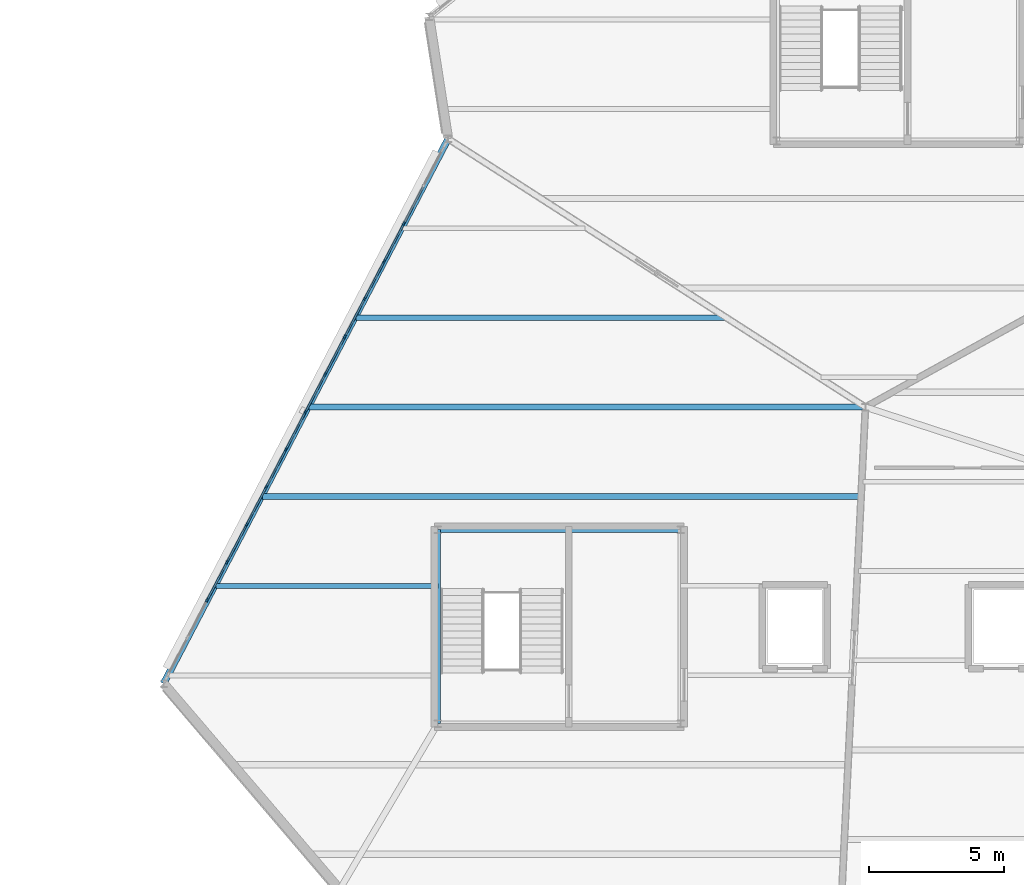
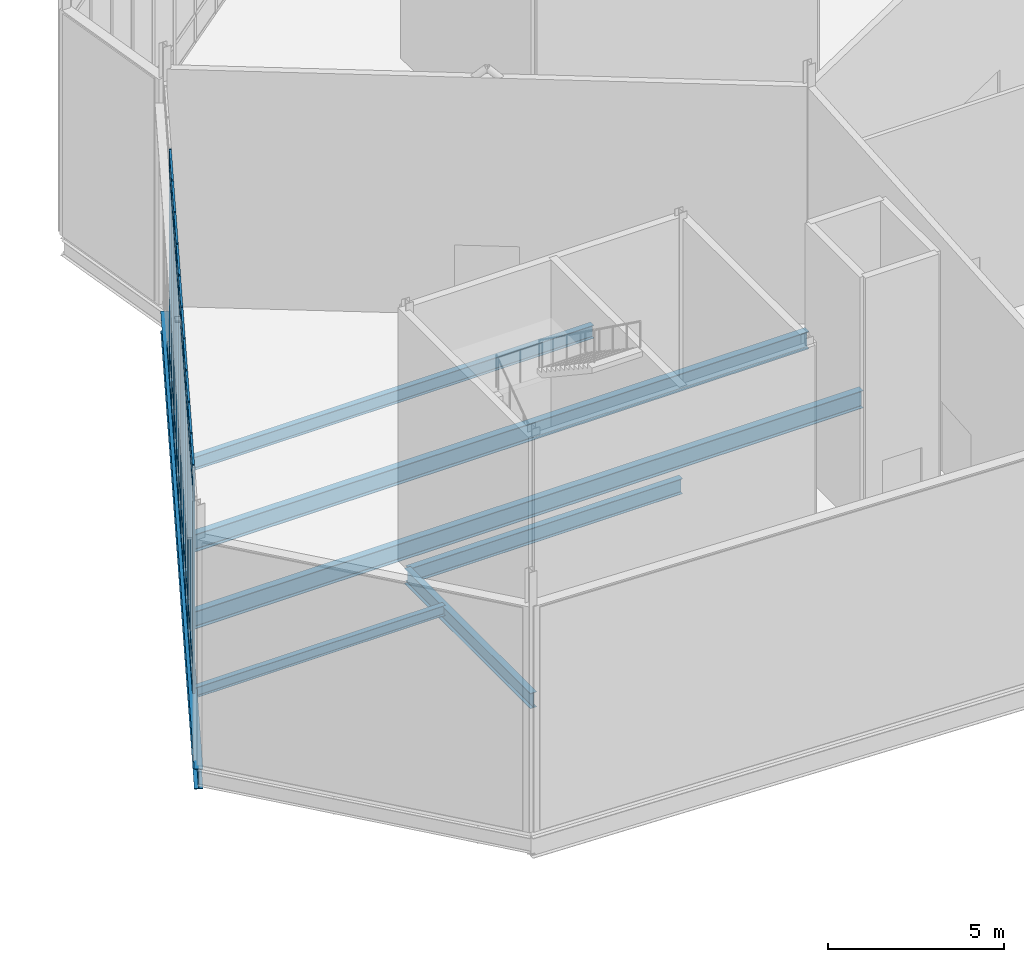
# One storey, part 35 of 66: 52 members, 7 beams, 1 element without a shape of its own.
"""IFC4 building model written with IfcOpenShell, lengths in metres."""

from ifc_helpers import new_model, si_unit, direction, frame, origin, origin_2d, place, context, subcontext, project, spatial, rectangle, i_section, extrude, material, material_profile, profile_set, type_object, element, aggregate, save


model = new_model("IFC4")

# Units and contexts
model_context = context("Model", 3, precision=1e-05, world=origin(), true_north=direction((0.0, 1.0)))
body_context = subcontext(model_context, "Body", "Model", "MODEL_VIEW")
ifc_project = project(units=[si_unit("LENGTHUNIT", "METRE"), si_unit("AREAUNIT", "SQUARE_METRE"), si_unit("VOLUMEUNIT", "CUBIC_METRE"), si_unit("PLANEANGLEUNIT", "RADIAN"), si_unit("MASSUNIT", "GRAM", prefix="KILO")], contexts=[model_context])

# Site, building, storey
site_placement = place(None, origin())
site = spatial("IfcSite", under=ifc_project, at=site_placement, CompositionType="ELEMENT")
building_placement = place(site_placement, origin())
building = spatial("IfcBuilding", under=site, at=building_placement, Name="Tameran Prism Museum", CompositionType="ELEMENT")
storey_placement = place(building_placement, frame((0.0, 0.0, 19.800048828125)))
storey = spatial("IfcBuildingStorey", under=building, at=storey_placement, Name="L04", CompositionType="ELEMENT", Elevation=19.800048828125)

# Beams
ifc_material_1 = material(Name="Steel Grade 300PLUS (300 MPa)", Category="steel")
ifc_material_profile_1 = material_profile(ifc_material_1, i_section(OverallWidth=0.1708984375, OverallDepth=0.35595703125, WebThickness=0.00732421875, FlangeThickness=0.011474609375, FilletRadius=0.011474609375, at=origin_2d()))
ifc_profile_set_1 = profile_set([ifc_material_profile_1])
beam_type_1 = type_object("IfcBeamType", Name="BM-J360B", PredefinedType="JOIST", material=ifc_profile_set_1)
beam_1_placement = place(storey_placement, frame((94.825927734375, 82.5, -0.41796875), z_axis=(1.0, 0.0, 0.0), x_axis=(0.0, 1.0, 0.0)))
element("IfcBeam", 1, at=beam_1_placement, inside=storey, type_object=beam_type_1, Name="Floor Beam BM-1201", PredefinedType="JOIST", context=body_context, shape_type="SweptSolid", body=[
    extrude(i_section(OverallWidth=0.1708984375, OverallDepth=0.35595703125, WebThickness=0.00732421875, FlangeThickness=0.011474609375, FilletRadius=0.011474609375, at=origin_2d()), origin(), (0.0, 0.0, 1.0), 8.194091796875),
])
ifc_material_2 = material(Name="Steel Grade 300PLUS (300 MPa)", Category="steel")
ifc_material_profile_2 = material_profile(ifc_material_2, i_section(OverallWidth=0.18994140625, OverallDepth=0.4541015625, WebThickness=0.008544921875, FlangeThickness=0.0126953125, FilletRadius=0.011474609375, at=origin_2d()))
ifc_profile_set_2 = profile_set([ifc_material_profile_2])
beam_type_2 = type_object("IfcBeamType", Name="BM-J460B", PredefinedType="JOIST", material=ifc_profile_set_2)
beam_2_placement = place(storey_placement, frame((99.9970703125, 92.39990234375, -0.467041015625), z_axis=(1.0, 0.0, 0.0), x_axis=(0.0, 1.0, 0.0)))
element("IfcBeam", 2, at=beam_2_placement, inside=storey, type_object=beam_type_2, Name="Floor Beam BM-1205", PredefinedType="JOIST", context=body_context, shape_type="SweptSolid", body=[
    extrude(i_section(OverallWidth=0.18994140625, OverallDepth=0.4541015625, WebThickness=0.008544921875, FlangeThickness=0.0126953125, FilletRadius=0.011474609375, at=origin_2d()), origin(), (0.0, 0.0, 1.0), 13.595947265625),
])
ifc_material_3 = material(Name="Steel Grade 300PLUS (300 MPa)", Category="steel")
ifc_material_profile_3 = material_profile(ifc_material_3, i_section(OverallWidth=0.208984375, OverallDepth=0.528076171875, WebThickness=0.009521484375, FlangeThickness=0.01318359375, FilletRadius=0.013916015625, at=origin_2d()))
ifc_profile_set_3 = profile_set([ifc_material_profile_3])
beam_type_3 = type_object("IfcBeamType", Name="BM-SP530B", PredefinedType="SPANDREL", material=ifc_profile_set_3)
beam_3_placement = place(storey_placement, frame((111.97998046875, 84.580078125, -0.504150390625), z_axis=(-1.0, 0.0, 0.0), x_axis=(0.0, -1.0, 0.0)))
element("IfcBeam", 3, at=beam_3_placement, inside=storey, type_object=beam_type_3, Name="Core Ring Beam CTB-1179", PredefinedType="SPANDREL", context=body_context, shape_type="SweptSolid", body=[
    extrude(i_section(OverallWidth=0.208984375, OverallDepth=0.528076171875, WebThickness=0.009521484375, FlangeThickness=0.01318359375, FilletRadius=0.013916015625, at=origin_2d()), origin(), (0.0, 0.0, 1.0), 8.9599609375),
])
beam_4_placement = place(storey_placement, frame((103.02001953125, 84.580078125, -0.504150390625), z_axis=(0.0, -1.0, 0.0), x_axis=(1.0, 0.0, 0.0)))
element("IfcBeam", 4, at=beam_4_placement, inside=storey, type_object=beam_type_3, Name="Core Ring Beam CTB-1180", PredefinedType="SPANDREL", context=body_context, shape_type="SweptSolid", body=[
    extrude(i_section(OverallWidth=0.208984375, OverallDepth=0.528076171875, WebThickness=0.009521484375, FlangeThickness=0.01318359375, FilletRadius=0.013916015625, at=origin_2d()), origin(), (0.0, 0.0, 1.0), 7.16015625),
])
ifc_material_4 = material(Name="Steel Grade 350 (350 MPa)", Category="steel")
ifc_material_profile_4 = material_profile(ifc_material_4, i_section(OverallWidth=0.25, OverallDepth=0.699951171875, WebThickness=0.010009765625, FlangeThickness=0.02001953125, at=origin_2d()))
ifc_profile_set_4 = profile_set([ifc_material_profile_4])
beam_type_4 = type_object("IfcBeamType", Name="BM-SP700", PredefinedType="SPANDREL", material=ifc_profile_set_4)
beam_5_placement = place(storey_placement, frame((103.39990234375, 99.0, -0.590087890625), z_axis=(-0.463016287734, -0.886349771418, 0.0), x_axis=(0.886349771418, -0.463016287734, 0.0)))
element("IfcBeam", 5, at=beam_5_placement, inside=storey, type_object=beam_type_4, Name="Perimeter Spandrel SP-1143", PredefinedType="SPANDREL", context=body_context, shape_type="SweptSolid", body=[
    extrude(i_section(OverallWidth=0.25, OverallDepth=0.699951171875, WebThickness=0.010009765625, FlangeThickness=0.02001953125, at=origin_2d()), origin(), (0.0, 0.0, 1.0), 22.677490234375),
])
ifc_material_5 = material(Name="Steel Grade 300PLUS (300 MPa)", Category="steel")
ifc_material_profile_5 = material_profile(ifc_material_5, i_section(OverallWidth=0.22802734375, OverallDepth=0.60693359375, WebThickness=0.01123046875, FlangeThickness=0.017333984375, FilletRadius=0.013916015625, at=origin_2d()))
ifc_profile_set_5 = profile_set([ifc_material_profile_5])
beam_type_5 = type_object("IfcBeamType", Name="BM-UB610B", PredefinedType="BEAM", material=ifc_profile_set_5)
beam_6_placement = place(storey_placement, frame((96.550048828125, 85.800048828125, -0.54345703125), z_axis=(1.0, 0.0, 0.0), x_axis=(0.0, 1.0, 0.0)))
element("IfcBeam", 6, at=beam_6_placement, inside=storey, type_object=beam_type_5, Name="Floor Beam BM-1203", PredefinedType="BEAM", context=body_context, shape_type="SweptSolid", body=[
    extrude(i_section(OverallWidth=0.22802734375, OverallDepth=0.60693359375, WebThickness=0.01123046875, FlangeThickness=0.017333984375, FilletRadius=0.013916015625, at=origin_2d()), origin(), (0.0, 0.0, 1.0), 22.049072265625),
])
beam_7_placement = place(storey_placement, frame((98.27294921875, 89.10009765625, -0.54345703125), z_axis=(1.0, 0.0, 0.0), x_axis=(0.0, 1.0, 0.0)))
element("IfcBeam", 7, at=beam_7_placement, inside=storey, type_object=beam_type_5, Name="Floor Beam BM-1204", PredefinedType="BEAM", context=body_context, shape_type="SweptSolid", body=[
    extrude(i_section(OverallWidth=0.22802734375, OverallDepth=0.60693359375, WebThickness=0.01123046875, FlangeThickness=0.017333984375, FilletRadius=0.013916015625, at=origin_2d()), origin(), (0.0, 0.0, 1.0), 20.453125),
])

# Curtain wall, members
ifc_material_6 = material(Name="Anodised Aluminium 6063-T6 and Cyclone Solar Glass", Category="aluminium")
curtain_wall_type = type_object("IfcCurtainWallType", Name="CW-FAC-2192x782", PredefinedType="USERDEFINED", material=ifc_material_6)
curtain_wall_placement = place(storey_placement, origin())
curtain_wall = element("IfcCurtainWall", 8, at=curtain_wall_placement, inside=storey, type_object=curtain_wall_type, Name="Unitised Curtain Wall CW-151", ObjectType="UNITISED CURTAIN WALL", PredefinedType="USERDEFINED")
ifc_material_7 = material(Name="Anodised Aluminium Alloy 6063-T6", Category="aluminium")
ifc_material_profile_6 = material_profile(ifc_material_7, rectangle(XDim=0.06494140625, YDim=0.159912109375, at=origin_2d()))
ifc_profile_set_6 = profile_set([ifc_material_profile_6])
member_type_1 = type_object("IfcMemberType", Name="CW-MUL-A", PredefinedType="MULLION", material=ifc_profile_set_6)
member_1_placement = place(storey_placement, frame((94.51171875, 81.9853515625, 0.0), z_axis=(0.0, 0.0, 1.0), x_axis=(-0.886356952612, 0.463002540551, 0.0)))
member_1 = element("IfcMember", 9, at=member_1_placement, type_object=member_type_1, Name="CW-151 mullion 3", PredefinedType="MULLION", context=body_context, shape_type="SweptSolid", body=[
    extrude(rectangle(XDim=0.06494140625, YDim=0.159912109375, at=origin_2d()), origin(), (0.0, 0.0, 1.0), 7.820068359375),
])
member_2_placement = place(storey_placement, frame((95.236572265625, 83.373046875, 0.0), z_axis=(0.0, 0.0, 1.0), x_axis=(-0.886356952612, 0.463002540551, 0.0)))
member_2 = element("IfcMember", 10, at=member_2_placement, type_object=member_type_1, Name="CW-151 mullion 4", PredefinedType="MULLION", context=body_context, shape_type="SweptSolid", body=[
    extrude(rectangle(XDim=0.06494140625, YDim=0.159912109375, at=origin_2d()), origin(), (0.0, 0.0, 1.0), 7.820068359375),
])
member_3_placement = place(storey_placement, frame((95.96142578125, 84.760498046875, 0.0), z_axis=(0.0, 0.0, 1.0), x_axis=(-0.886356952612, 0.463002540551, 0.0)))
member_3 = element("IfcMember", 11, at=member_3_placement, type_object=member_type_1, Name="CW-151 mullion 5", PredefinedType="MULLION", context=body_context, shape_type="SweptSolid", body=[
    extrude(rectangle(XDim=0.06494140625, YDim=0.159912109375, at=origin_2d()), origin(), (0.0, 0.0, 1.0), 7.820068359375),
])
member_4_placement = place(storey_placement, frame((96.686279296875, 86.148193359375, 0.0), z_axis=(0.0, 0.0, 1.0), x_axis=(-0.886356952612, 0.463002540551, 0.0)))
member_4 = element("IfcMember", 12, at=member_4_placement, type_object=member_type_1, Name="CW-151 mullion 6", PredefinedType="MULLION", context=body_context, shape_type="SweptSolid", body=[
    extrude(rectangle(XDim=0.06494140625, YDim=0.159912109375, at=origin_2d()), origin(), (0.0, 0.0, 1.0), 7.820068359375),
])
member_5_placement = place(storey_placement, frame((97.4111328125, 87.535888671875, 0.0), z_axis=(0.0, 0.0, 1.0), x_axis=(-0.886356952612, 0.463002540551, 0.0)))
member_5 = element("IfcMember", 13, at=member_5_placement, type_object=member_type_1, Name="CW-151 mullion 7", PredefinedType="MULLION", context=body_context, shape_type="SweptSolid", body=[
    extrude(rectangle(XDim=0.06494140625, YDim=0.159912109375, at=origin_2d()), origin(), (0.0, 0.0, 1.0), 7.820068359375),
])
member_6_placement = place(storey_placement, frame((98.135986328125, 88.923583984375, 0.0), z_axis=(0.0, 0.0, 1.0), x_axis=(-0.886356952612, 0.463002540551, 0.0)))
member_6 = element("IfcMember", 14, at=member_6_placement, type_object=member_type_1, Name="CW-151 mullion 8", PredefinedType="MULLION", context=body_context, shape_type="SweptSolid", body=[
    extrude(rectangle(XDim=0.06494140625, YDim=0.159912109375, at=origin_2d()), origin(), (0.0, 0.0, 1.0), 7.820068359375),
])
member_7_placement = place(storey_placement, frame((98.86083984375, 90.31103515625, 0.0), z_axis=(0.0, 0.0, 1.0), x_axis=(-0.886356952612, 0.463002540551, 0.0)))
member_7 = element("IfcMember", 15, at=member_7_placement, type_object=member_type_1, Name="CW-151 mullion 9", PredefinedType="MULLION", context=body_context, shape_type="SweptSolid", body=[
    extrude(rectangle(XDim=0.06494140625, YDim=0.159912109375, at=origin_2d()), origin(), (0.0, 0.0, 1.0), 7.820068359375),
])
member_8_placement = place(storey_placement, frame((99.585693359375, 91.69873046875, 0.0), z_axis=(0.0, 0.0, 1.0), x_axis=(-0.886356952612, 0.463002540551, 0.0)))
member_8 = element("IfcMember", 16, at=member_8_placement, type_object=member_type_1, Name="CW-151 mullion 10", PredefinedType="MULLION", context=body_context, shape_type="SweptSolid", body=[
    extrude(rectangle(XDim=0.06494140625, YDim=0.159912109375, at=origin_2d()), origin(), (0.0, 0.0, 1.0), 7.820068359375),
])
member_9_placement = place(storey_placement, frame((100.310546875, 93.08642578125, 0.0), z_axis=(0.0, 0.0, 1.0), x_axis=(-0.886356952612, 0.463002540551, 0.0)))
member_9 = element("IfcMember", 17, at=member_9_placement, type_object=member_type_1, Name="CW-151 mullion 11", PredefinedType="MULLION", context=body_context, shape_type="SweptSolid", body=[
    extrude(rectangle(XDim=0.06494140625, YDim=0.159912109375, at=origin_2d()), origin(), (0.0, 0.0, 1.0), 7.820068359375),
])
member_10_placement = place(storey_placement, frame((101.035400390625, 94.47412109375, 0.0), z_axis=(0.0, 0.0, 1.0), x_axis=(-0.886356952612, 0.463002540551, 0.0)))
member_10 = element("IfcMember", 18, at=member_10_placement, type_object=member_type_1, Name="CW-151 mullion 12", PredefinedType="MULLION", context=body_context, shape_type="SweptSolid", body=[
    extrude(rectangle(XDim=0.06494140625, YDim=0.159912109375, at=origin_2d()), origin(), (0.0, 0.0, 1.0), 7.820068359375),
])
member_11_placement = place(storey_placement, frame((101.76025390625, 95.86181640625, 0.0), z_axis=(0.0, 0.0, 1.0), x_axis=(-0.886356952612, 0.463002540551, 0.0)))
member_11 = element("IfcMember", 19, at=member_11_placement, type_object=member_type_1, Name="CW-151 mullion 13", PredefinedType="MULLION", context=body_context, shape_type="SweptSolid", body=[
    extrude(rectangle(XDim=0.06494140625, YDim=0.159912109375, at=origin_2d()), origin(), (0.0, 0.0, 1.0), 7.820068359375),
])
ifc_material_8 = material(Name="Anodised Aluminium Alloy 6063-T6", Category="aluminium")
ifc_material_profile_7 = material_profile(ifc_material_8, rectangle(XDim=0.06494140625, YDim=0.139892578125, at=origin_2d()))
ifc_profile_set_7 = profile_set([ifc_material_profile_7])
member_type_2 = type_object("IfcMemberType", Name="CW-TRN-A", PredefinedType="USERDEFINED", material=ifc_profile_set_7)
member_12_placement = place(storey_placement, frame((94.52685546875, 82.01416015625, 0.032470703125), z_axis=(0.462894043203, 0.886413619462, 0.0), x_axis=(-0.886413619462, 0.462894043203, 0.0)))
member_12 = element("IfcMember", 20, at=member_12_placement, type_object=member_type_2, Name="CW-151 transom 3.1", ObjectType="TRANSOM", PredefinedType="USERDEFINED", context=body_context, shape_type="SweptSolid", body=[
    extrude(rectangle(XDim=0.06494140625, YDim=0.139892578125, at=origin_2d()), origin(), (0.0, 0.0, 1.0), 1.50048828125),
])
member_13_placement = place(storey_placement, frame((94.52685546875, 82.01416015625, 1.0), z_axis=(0.462894043203, 0.886413619462, 0.0), x_axis=(-0.886413619462, 0.462894043203, 0.0)))
member_13 = element("IfcMember", 21, at=member_13_placement, type_object=member_type_2, Name="CW-151 transom 3.2", ObjectType="TRANSOM", PredefinedType="USERDEFINED", context=body_context, shape_type="SweptSolid", body=[
    extrude(rectangle(XDim=0.06494140625, YDim=0.139892578125, at=origin_2d()), origin(), (0.0, 0.0, 1.0), 1.50048828125),
])
member_14_placement = place(storey_placement, frame((94.52685546875, 82.01416015625, 7.139892578125), z_axis=(0.462894043203, 0.886413619462, 0.0), x_axis=(-0.886413619462, 0.462894043203, 0.0)))
member_14 = element("IfcMember", 22, at=member_14_placement, type_object=member_type_2, Name="CW-151 transom 3.3", ObjectType="TRANSOM", PredefinedType="USERDEFINED", context=body_context, shape_type="SweptSolid", body=[
    extrude(rectangle(XDim=0.06494140625, YDim=0.139892578125, at=origin_2d()), origin(), (0.0, 0.0, 1.0), 1.50048828125),
])
member_15_placement = place(storey_placement, frame((94.52685546875, 82.01416015625, 7.787353515625), z_axis=(0.462894043203, 0.886413619462, 0.0), x_axis=(-0.886413619462, 0.462894043203, 0.0)))
member_15 = element("IfcMember", 23, at=member_15_placement, type_object=member_type_2, Name="CW-151 transom 3.4", ObjectType="TRANSOM", PredefinedType="USERDEFINED", context=body_context, shape_type="SweptSolid", body=[
    extrude(rectangle(XDim=0.06494140625, YDim=0.139892578125, at=origin_2d()), origin(), (0.0, 0.0, 1.0), 1.50048828125),
])
member_16_placement = place(storey_placement, frame((95.251708984375, 83.40185546875, 0.032470703125), z_axis=(0.462960811674, 0.886378749099, 0.0), x_axis=(-0.886378749099, 0.462960811674, 0.0)))
member_16 = element("IfcMember", 24, at=member_16_placement, type_object=member_type_2, Name="CW-151 transom 4.1", ObjectType="TRANSOM", PredefinedType="USERDEFINED", context=body_context, shape_type="SweptSolid", body=[
    extrude(rectangle(XDim=0.06494140625, YDim=0.139892578125, at=origin_2d()), origin(), (0.0, 0.0, 1.0), 1.500244140625),
])
member_17_placement = place(storey_placement, frame((95.251708984375, 83.40185546875, 1.0), z_axis=(0.462960811674, 0.886378749099, 0.0), x_axis=(-0.886378749099, 0.462960811674, 0.0)))
member_17 = element("IfcMember", 25, at=member_17_placement, type_object=member_type_2, Name="CW-151 transom 4.2", ObjectType="TRANSOM", PredefinedType="USERDEFINED", context=body_context, shape_type="SweptSolid", body=[
    extrude(rectangle(XDim=0.06494140625, YDim=0.139892578125, at=origin_2d()), origin(), (0.0, 0.0, 1.0), 1.500244140625),
])
member_18_placement = place(storey_placement, frame((95.251708984375, 83.40185546875, 7.139892578125), z_axis=(0.462960811674, 0.886378749099, 0.0), x_axis=(-0.886378749099, 0.462960811674, 0.0)))
member_18 = element("IfcMember", 26, at=member_18_placement, type_object=member_type_2, Name="CW-151 transom 4.3", ObjectType="TRANSOM", PredefinedType="USERDEFINED", context=body_context, shape_type="SweptSolid", body=[
    extrude(rectangle(XDim=0.06494140625, YDim=0.139892578125, at=origin_2d()), origin(), (0.0, 0.0, 1.0), 1.500244140625),
])
member_19_placement = place(storey_placement, frame((95.251708984375, 83.40185546875, 7.787353515625), z_axis=(0.462960811674, 0.886378749099, 0.0), x_axis=(-0.886378749099, 0.462960811674, 0.0)))
member_19 = element("IfcMember", 27, at=member_19_placement, type_object=member_type_2, Name="CW-151 transom 4.4", ObjectType="TRANSOM", PredefinedType="USERDEFINED", context=body_context, shape_type="SweptSolid", body=[
    extrude(rectangle(XDim=0.06494140625, YDim=0.139892578125, at=origin_2d()), origin(), (0.0, 0.0, 1.0), 1.500244140625),
])
member_20_placement = place(storey_placement, frame((95.9765625, 84.789306640625, 0.032470703125), z_axis=(0.462894043203, 0.886413619462, 0.0), x_axis=(-0.886413619462, 0.462894043203, 0.0)))
member_20 = element("IfcMember", 28, at=member_20_placement, type_object=member_type_2, Name="CW-151 transom 5.1", ObjectType="TRANSOM", PredefinedType="USERDEFINED", context=body_context, shape_type="SweptSolid", body=[
    extrude(rectangle(XDim=0.06494140625, YDim=0.139892578125, at=origin_2d()), origin(), (0.0, 0.0, 1.0), 1.50048828125),
])
member_21_placement = place(storey_placement, frame((95.9765625, 84.789306640625, 1.0), z_axis=(0.462894043203, 0.886413619462, 0.0), x_axis=(-0.886413619462, 0.462894043203, 0.0)))
member_21 = element("IfcMember", 29, at=member_21_placement, type_object=member_type_2, Name="CW-151 transom 5.2", ObjectType="TRANSOM", PredefinedType="USERDEFINED", context=body_context, shape_type="SweptSolid", body=[
    extrude(rectangle(XDim=0.06494140625, YDim=0.139892578125, at=origin_2d()), origin(), (0.0, 0.0, 1.0), 1.50048828125),
])
member_22_placement = place(storey_placement, frame((95.9765625, 84.789306640625, 7.139892578125), z_axis=(0.462894043203, 0.886413619462, 0.0), x_axis=(-0.886413619462, 0.462894043203, 0.0)))
member_22 = element("IfcMember", 30, at=member_22_placement, type_object=member_type_2, Name="CW-151 transom 5.3", ObjectType="TRANSOM", PredefinedType="USERDEFINED", context=body_context, shape_type="SweptSolid", body=[
    extrude(rectangle(XDim=0.06494140625, YDim=0.139892578125, at=origin_2d()), origin(), (0.0, 0.0, 1.0), 1.50048828125),
])
member_23_placement = place(storey_placement, frame((95.9765625, 84.789306640625, 7.787353515625), z_axis=(0.462894043203, 0.886413619462, 0.0), x_axis=(-0.886413619462, 0.462894043203, 0.0)))
member_23 = element("IfcMember", 31, at=member_23_placement, type_object=member_type_2, Name="CW-151 transom 5.4", ObjectType="TRANSOM", PredefinedType="USERDEFINED", context=body_context, shape_type="SweptSolid", body=[
    extrude(rectangle(XDim=0.06494140625, YDim=0.139892578125, at=origin_2d()), origin(), (0.0, 0.0, 1.0), 1.50048828125),
])
member_24_placement = place(storey_placement, frame((96.701416015625, 86.177001953125, 0.032470703125), z_axis=(0.462894043203, 0.886413619462, 0.0), x_axis=(-0.886413619462, 0.462894043203, 0.0)))
member_24 = element("IfcMember", 32, at=member_24_placement, type_object=member_type_2, Name="CW-151 transom 6.1", ObjectType="TRANSOM", PredefinedType="USERDEFINED", context=body_context, shape_type="SweptSolid", body=[
    extrude(rectangle(XDim=0.06494140625, YDim=0.139892578125, at=origin_2d()), origin(), (0.0, 0.0, 1.0), 1.50048828125),
])
member_25_placement = place(storey_placement, frame((96.701416015625, 86.177001953125, 1.0), z_axis=(0.462894043203, 0.886413619462, 0.0), x_axis=(-0.886413619462, 0.462894043203, 0.0)))
member_25 = element("IfcMember", 33, at=member_25_placement, type_object=member_type_2, Name="CW-151 transom 6.2", ObjectType="TRANSOM", PredefinedType="USERDEFINED", context=body_context, shape_type="SweptSolid", body=[
    extrude(rectangle(XDim=0.06494140625, YDim=0.139892578125, at=origin_2d()), origin(), (0.0, 0.0, 1.0), 1.50048828125),
])
member_26_placement = place(storey_placement, frame((96.701416015625, 86.177001953125, 7.139892578125), z_axis=(0.462894043203, 0.886413619462, 0.0), x_axis=(-0.886413619462, 0.462894043203, 0.0)))
member_26 = element("IfcMember", 34, at=member_26_placement, type_object=member_type_2, Name="CW-151 transom 6.3", ObjectType="TRANSOM", PredefinedType="USERDEFINED", context=body_context, shape_type="SweptSolid", body=[
    extrude(rectangle(XDim=0.06494140625, YDim=0.139892578125, at=origin_2d()), origin(), (0.0, 0.0, 1.0), 1.50048828125),
])
member_27_placement = place(storey_placement, frame((96.701416015625, 86.177001953125, 7.787353515625), z_axis=(0.462894043203, 0.886413619462, 0.0), x_axis=(-0.886413619462, 0.462894043203, 0.0)))
member_27 = element("IfcMember", 35, at=member_27_placement, type_object=member_type_2, Name="CW-151 transom 6.4", ObjectType="TRANSOM", PredefinedType="USERDEFINED", context=body_context, shape_type="SweptSolid", body=[
    extrude(rectangle(XDim=0.06494140625, YDim=0.139892578125, at=origin_2d()), origin(), (0.0, 0.0, 1.0), 1.50048828125),
])
member_28_placement = place(storey_placement, frame((97.42626953125, 87.564697265625, 0.032470703125), z_axis=(0.462894043203, 0.886413619462, 0.0), x_axis=(-0.886413619462, 0.462894043203, 0.0)))
member_28 = element("IfcMember", 36, at=member_28_placement, type_object=member_type_2, Name="CW-151 transom 7.1", ObjectType="TRANSOM", PredefinedType="USERDEFINED", context=body_context, shape_type="SweptSolid", body=[
    extrude(rectangle(XDim=0.06494140625, YDim=0.139892578125, at=origin_2d()), origin(), (0.0, 0.0, 1.0), 1.50048828125),
])
member_29_placement = place(storey_placement, frame((97.42626953125, 87.564697265625, 1.0), z_axis=(0.462894043203, 0.886413619462, 0.0), x_axis=(-0.886413619462, 0.462894043203, 0.0)))
member_29 = element("IfcMember", 37, at=member_29_placement, type_object=member_type_2, Name="CW-151 transom 7.2", ObjectType="TRANSOM", PredefinedType="USERDEFINED", context=body_context, shape_type="SweptSolid", body=[
    extrude(rectangle(XDim=0.06494140625, YDim=0.139892578125, at=origin_2d()), origin(), (0.0, 0.0, 1.0), 1.50048828125),
])
member_30_placement = place(storey_placement, frame((97.42626953125, 87.564697265625, 7.139892578125), z_axis=(0.462894043203, 0.886413619462, 0.0), x_axis=(-0.886413619462, 0.462894043203, 0.0)))
member_30 = element("IfcMember", 38, at=member_30_placement, type_object=member_type_2, Name="CW-151 transom 7.3", ObjectType="TRANSOM", PredefinedType="USERDEFINED", context=body_context, shape_type="SweptSolid", body=[
    extrude(rectangle(XDim=0.06494140625, YDim=0.139892578125, at=origin_2d()), origin(), (0.0, 0.0, 1.0), 1.50048828125),
])
member_31_placement = place(storey_placement, frame((97.42626953125, 87.564697265625, 7.787353515625), z_axis=(0.462894043203, 0.886413619462, 0.0), x_axis=(-0.886413619462, 0.462894043203, 0.0)))
member_31 = element("IfcMember", 39, at=member_31_placement, type_object=member_type_2, Name="CW-151 transom 7.4", ObjectType="TRANSOM", PredefinedType="USERDEFINED", context=body_context, shape_type="SweptSolid", body=[
    extrude(rectangle(XDim=0.06494140625, YDim=0.139892578125, at=origin_2d()), origin(), (0.0, 0.0, 1.0), 1.50048828125),
])
member_32_placement = place(storey_placement, frame((98.151123046875, 88.952392578125, 0.032470703125), z_axis=(0.462960811674, 0.886378749099, 0.0), x_axis=(-0.886378749099, 0.462960811674, 0.0)))
member_32 = element("IfcMember", 40, at=member_32_placement, type_object=member_type_2, Name="CW-151 transom 8.1", ObjectType="TRANSOM", PredefinedType="USERDEFINED", context=body_context, shape_type="SweptSolid", body=[
    extrude(rectangle(XDim=0.06494140625, YDim=0.139892578125, at=origin_2d()), origin(), (0.0, 0.0, 1.0), 1.500244140625),
])
member_33_placement = place(storey_placement, frame((98.151123046875, 88.952392578125, 1.0), z_axis=(0.462960811674, 0.886378749099, 0.0), x_axis=(-0.886378749099, 0.462960811674, 0.0)))
member_33 = element("IfcMember", 41, at=member_33_placement, type_object=member_type_2, Name="CW-151 transom 8.2", ObjectType="TRANSOM", PredefinedType="USERDEFINED", context=body_context, shape_type="SweptSolid", body=[
    extrude(rectangle(XDim=0.06494140625, YDim=0.139892578125, at=origin_2d()), origin(), (0.0, 0.0, 1.0), 1.500244140625),
])
member_34_placement = place(storey_placement, frame((98.151123046875, 88.952392578125, 7.139892578125), z_axis=(0.462960811674, 0.886378749099, 0.0), x_axis=(-0.886378749099, 0.462960811674, 0.0)))
member_34 = element("IfcMember", 42, at=member_34_placement, type_object=member_type_2, Name="CW-151 transom 8.3", ObjectType="TRANSOM", PredefinedType="USERDEFINED", context=body_context, shape_type="SweptSolid", body=[
    extrude(rectangle(XDim=0.06494140625, YDim=0.139892578125, at=origin_2d()), origin(), (0.0, 0.0, 1.0), 1.500244140625),
])
member_35_placement = place(storey_placement, frame((98.151123046875, 88.952392578125, 7.787353515625), z_axis=(0.462960811674, 0.886378749099, 0.0), x_axis=(-0.886378749099, 0.462960811674, 0.0)))
member_35 = element("IfcMember", 43, at=member_35_placement, type_object=member_type_2, Name="CW-151 transom 8.4", ObjectType="TRANSOM", PredefinedType="USERDEFINED", context=body_context, shape_type="SweptSolid", body=[
    extrude(rectangle(XDim=0.06494140625, YDim=0.139892578125, at=origin_2d()), origin(), (0.0, 0.0, 1.0), 1.500244140625),
])
member_36_placement = place(storey_placement, frame((98.8759765625, 90.33984375, 0.032470703125), z_axis=(0.462894043203, 0.886413619462, 0.0), x_axis=(-0.886413619462, 0.462894043203, 0.0)))
member_36 = element("IfcMember", 44, at=member_36_placement, type_object=member_type_2, Name="CW-151 transom 9.1", ObjectType="TRANSOM", PredefinedType="USERDEFINED", context=body_context, shape_type="SweptSolid", body=[
    extrude(rectangle(XDim=0.06494140625, YDim=0.139892578125, at=origin_2d()), origin(), (0.0, 0.0, 1.0), 1.50048828125),
])
member_37_placement = place(storey_placement, frame((98.8759765625, 90.33984375, 1.0), z_axis=(0.462894043203, 0.886413619462, 0.0), x_axis=(-0.886413619462, 0.462894043203, 0.0)))
member_37 = element("IfcMember", 45, at=member_37_placement, type_object=member_type_2, Name="CW-151 transom 9.2", ObjectType="TRANSOM", PredefinedType="USERDEFINED", context=body_context, shape_type="SweptSolid", body=[
    extrude(rectangle(XDim=0.06494140625, YDim=0.139892578125, at=origin_2d()), origin(), (0.0, 0.0, 1.0), 1.50048828125),
])
member_38_placement = place(storey_placement, frame((98.8759765625, 90.33984375, 7.139892578125), z_axis=(0.462894043203, 0.886413619462, 0.0), x_axis=(-0.886413619462, 0.462894043203, 0.0)))
member_38 = element("IfcMember", 46, at=member_38_placement, type_object=member_type_2, Name="CW-151 transom 9.3", ObjectType="TRANSOM", PredefinedType="USERDEFINED", context=body_context, shape_type="SweptSolid", body=[
    extrude(rectangle(XDim=0.06494140625, YDim=0.139892578125, at=origin_2d()), origin(), (0.0, 0.0, 1.0), 1.50048828125),
])
member_39_placement = place(storey_placement, frame((98.8759765625, 90.33984375, 7.787353515625), z_axis=(0.462894043203, 0.886413619462, 0.0), x_axis=(-0.886413619462, 0.462894043203, 0.0)))
member_39 = element("IfcMember", 47, at=member_39_placement, type_object=member_type_2, Name="CW-151 transom 9.4", ObjectType="TRANSOM", PredefinedType="USERDEFINED", context=body_context, shape_type="SweptSolid", body=[
    extrude(rectangle(XDim=0.06494140625, YDim=0.139892578125, at=origin_2d()), origin(), (0.0, 0.0, 1.0), 1.50048828125),
])
member_40_placement = place(storey_placement, frame((99.600830078125, 91.7275390625, 0.032470703125), z_axis=(0.462894043203, 0.886413619462, 0.0), x_axis=(-0.886413619462, 0.462894043203, 0.0)))
member_40 = element("IfcMember", 48, at=member_40_placement, type_object=member_type_2, Name="CW-151 transom 10.1", ObjectType="TRANSOM", PredefinedType="USERDEFINED", context=body_context, shape_type="SweptSolid", body=[
    extrude(rectangle(XDim=0.06494140625, YDim=0.139892578125, at=origin_2d()), origin(), (0.0, 0.0, 1.0), 1.50048828125),
])
member_41_placement = place(storey_placement, frame((99.600830078125, 91.7275390625, 1.0), z_axis=(0.462894043203, 0.886413619462, 0.0), x_axis=(-0.886413619462, 0.462894043203, 0.0)))
member_41 = element("IfcMember", 49, at=member_41_placement, type_object=member_type_2, Name="CW-151 transom 10.2", ObjectType="TRANSOM", PredefinedType="USERDEFINED", context=body_context, shape_type="SweptSolid", body=[
    extrude(rectangle(XDim=0.06494140625, YDim=0.139892578125, at=origin_2d()), origin(), (0.0, 0.0, 1.0), 1.50048828125),
])
member_42_placement = place(storey_placement, frame((99.600830078125, 91.7275390625, 7.139892578125), z_axis=(0.462894043203, 0.886413619462, 0.0), x_axis=(-0.886413619462, 0.462894043203, 0.0)))
member_42 = element("IfcMember", 50, at=member_42_placement, type_object=member_type_2, Name="CW-151 transom 10.3", ObjectType="TRANSOM", PredefinedType="USERDEFINED", context=body_context, shape_type="SweptSolid", body=[
    extrude(rectangle(XDim=0.06494140625, YDim=0.139892578125, at=origin_2d()), origin(), (0.0, 0.0, 1.0), 1.50048828125),
])
member_43_placement = place(storey_placement, frame((99.600830078125, 91.7275390625, 7.787353515625), z_axis=(0.462894043203, 0.886413619462, 0.0), x_axis=(-0.886413619462, 0.462894043203, 0.0)))
member_43 = element("IfcMember", 51, at=member_43_placement, type_object=member_type_2, Name="CW-151 transom 10.4", ObjectType="TRANSOM", PredefinedType="USERDEFINED", context=body_context, shape_type="SweptSolid", body=[
    extrude(rectangle(XDim=0.06494140625, YDim=0.139892578125, at=origin_2d()), origin(), (0.0, 0.0, 1.0), 1.50048828125),
])
member_44_placement = place(storey_placement, frame((100.32568359375, 93.115234375, 0.032470703125), z_axis=(0.462894043203, 0.886413619462, 0.0), x_axis=(-0.886413619462, 0.462894043203, 0.0)))
member_44 = element("IfcMember", 52, at=member_44_placement, type_object=member_type_2, Name="CW-151 transom 11.1", ObjectType="TRANSOM", PredefinedType="USERDEFINED", context=body_context, shape_type="SweptSolid", body=[
    extrude(rectangle(XDim=0.06494140625, YDim=0.139892578125, at=origin_2d()), origin(), (0.0, 0.0, 1.0), 1.50048828125),
])
member_45_placement = place(storey_placement, frame((100.32568359375, 93.115234375, 1.0), z_axis=(0.462894043203, 0.886413619462, 0.0), x_axis=(-0.886413619462, 0.462894043203, 0.0)))
member_45 = element("IfcMember", 53, at=member_45_placement, type_object=member_type_2, Name="CW-151 transom 11.2", ObjectType="TRANSOM", PredefinedType="USERDEFINED", context=body_context, shape_type="SweptSolid", body=[
    extrude(rectangle(XDim=0.06494140625, YDim=0.139892578125, at=origin_2d()), origin(), (0.0, 0.0, 1.0), 1.50048828125),
])
member_46_placement = place(storey_placement, frame((100.32568359375, 93.115234375, 7.139892578125), z_axis=(0.462894043203, 0.886413619462, 0.0), x_axis=(-0.886413619462, 0.462894043203, 0.0)))
member_46 = element("IfcMember", 54, at=member_46_placement, type_object=member_type_2, Name="CW-151 transom 11.3", ObjectType="TRANSOM", PredefinedType="USERDEFINED", context=body_context, shape_type="SweptSolid", body=[
    extrude(rectangle(XDim=0.06494140625, YDim=0.139892578125, at=origin_2d()), origin(), (0.0, 0.0, 1.0), 1.50048828125),
])
member_47_placement = place(storey_placement, frame((100.32568359375, 93.115234375, 7.787353515625), z_axis=(0.462894043203, 0.886413619462, 0.0), x_axis=(-0.886413619462, 0.462894043203, 0.0)))
member_47 = element("IfcMember", 55, at=member_47_placement, type_object=member_type_2, Name="CW-151 transom 11.4", ObjectType="TRANSOM", PredefinedType="USERDEFINED", context=body_context, shape_type="SweptSolid", body=[
    extrude(rectangle(XDim=0.06494140625, YDim=0.139892578125, at=origin_2d()), origin(), (0.0, 0.0, 1.0), 1.50048828125),
])
member_48_placement = place(storey_placement, frame((101.050537109375, 94.5029296875, 0.032470703125), z_axis=(0.462894043203, 0.886413619462, 0.0), x_axis=(-0.886413619462, 0.462894043203, 0.0)))
member_48 = element("IfcMember", 56, at=member_48_placement, type_object=member_type_2, Name="CW-151 transom 12.1", ObjectType="TRANSOM", PredefinedType="USERDEFINED", context=body_context, shape_type="SweptSolid", body=[
    extrude(rectangle(XDim=0.06494140625, YDim=0.139892578125, at=origin_2d()), origin(), (0.0, 0.0, 1.0), 1.50048828125),
])
member_49_placement = place(storey_placement, frame((101.050537109375, 94.5029296875, 1.0), z_axis=(0.462894043203, 0.886413619462, 0.0), x_axis=(-0.886413619462, 0.462894043203, 0.0)))
member_49 = element("IfcMember", 57, at=member_49_placement, type_object=member_type_2, Name="CW-151 transom 12.2", ObjectType="TRANSOM", PredefinedType="USERDEFINED", context=body_context, shape_type="SweptSolid", body=[
    extrude(rectangle(XDim=0.06494140625, YDim=0.139892578125, at=origin_2d()), origin(), (0.0, 0.0, 1.0), 1.50048828125),
])
member_50_placement = place(storey_placement, frame((101.050537109375, 94.5029296875, 7.139892578125), z_axis=(0.462894043203, 0.886413619462, 0.0), x_axis=(-0.886413619462, 0.462894043203, 0.0)))
member_50 = element("IfcMember", 58, at=member_50_placement, type_object=member_type_2, Name="CW-151 transom 12.3", ObjectType="TRANSOM", PredefinedType="USERDEFINED", context=body_context, shape_type="SweptSolid", body=[
    extrude(rectangle(XDim=0.06494140625, YDim=0.139892578125, at=origin_2d()), origin(), (0.0, 0.0, 1.0), 1.50048828125),
])
member_51_placement = place(storey_placement, frame((101.050537109375, 94.5029296875, 7.787353515625), z_axis=(0.462894043203, 0.886413619462, 0.0), x_axis=(-0.886413619462, 0.462894043203, 0.0)))
member_51 = element("IfcMember", 59, at=member_51_placement, type_object=member_type_2, Name="CW-151 transom 12.4", ObjectType="TRANSOM", PredefinedType="USERDEFINED", context=body_context, shape_type="SweptSolid", body=[
    extrude(rectangle(XDim=0.06494140625, YDim=0.139892578125, at=origin_2d()), origin(), (0.0, 0.0, 1.0), 1.50048828125),
])
member_52_placement = place(storey_placement, frame((101.775390625, 95.890625, 0.032470703125), z_axis=(0.463088647196, 0.886311968123, 0.0), x_axis=(-0.886311968123, 0.463088647196, 0.0)))
member_52 = element("IfcMember", 60, at=member_52_placement, type_object=member_type_2, Name="CW-151 transom 13.1", ObjectType="TRANSOM", PredefinedType="USERDEFINED", context=body_context, shape_type="SweptSolid", body=[
    extrude(rectangle(XDim=0.06494140625, YDim=0.139892578125, at=origin_2d()), origin(), (0.0, 0.0, 1.0), 1.50048828125),
])
aggregate(curtain_wall, [member_1, member_2, member_3, member_4, member_5, member_6, member_7, member_8, member_9, member_10, member_11, member_12, member_13, member_14, member_15, member_16, member_17, member_18, member_19, member_20, member_21, member_22, member_23, member_24, member_25, member_26, member_27, member_28, member_29, member_30, member_31, member_32, member_33, member_34, member_35, member_36, member_37, member_38, member_39, member_40, member_41, member_42, member_43, member_44, member_45, member_46, member_47, member_48, member_49, member_50, member_51, member_52])

save(model, "model.ifc")
